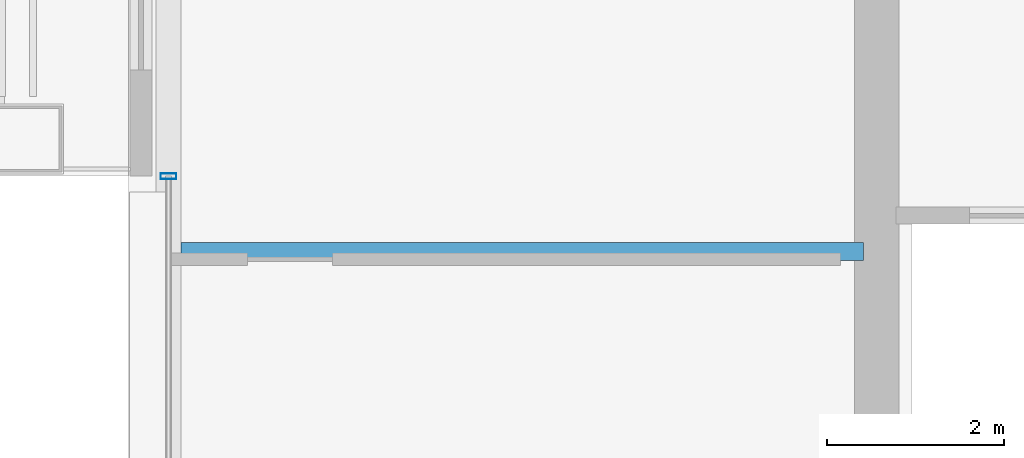
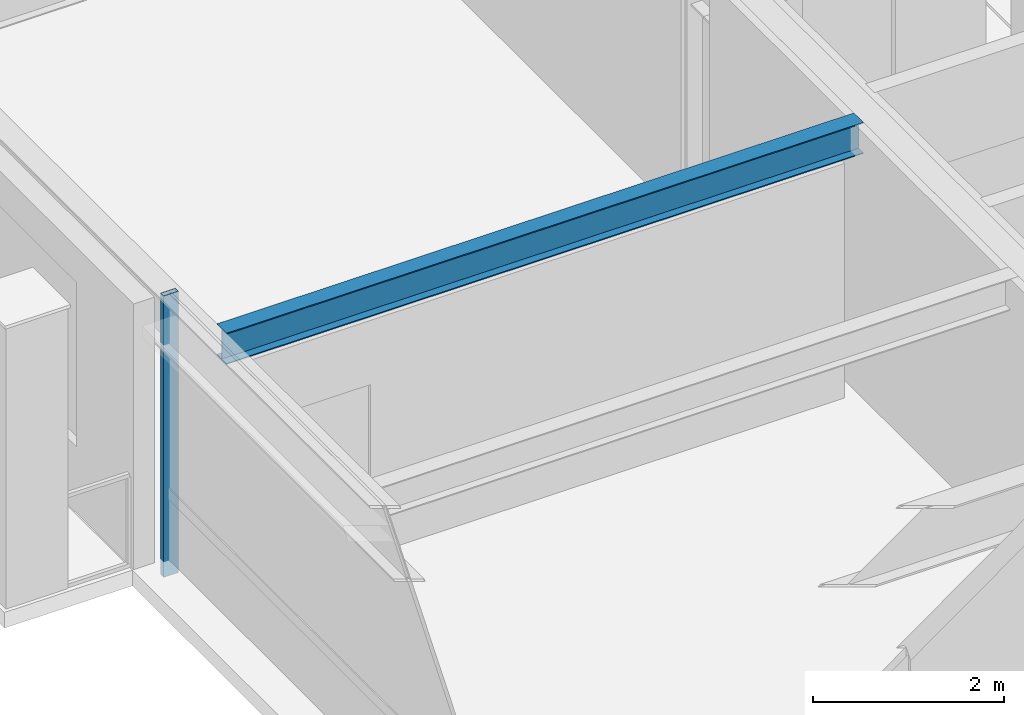
# One storey, part 10 of 34: 1 beam, 1 member, 1 element without a shape of its own.
"""IFC4 building model written with IfcOpenShell, lengths in metres."""

from ifc_helpers import new_model, si_unit, direction, frame, origin, origin_2d, place, context, subcontext, project, spatial, hollow_rectangle, i_section, extrude, material, layer, layer_set, material_profile, profile_set, type_object, element, aggregate, save


model = new_model("IFC4")

# Units and contexts
model_context = context("Model", 3, precision=1e-05, world=origin(), true_north=direction((0.0, 1.0)))
body_context = subcontext(model_context, "Body", "Model", "MODEL_VIEW")
ifc_project = project(units=[si_unit("LENGTHUNIT", "METRE"), si_unit("AREAUNIT", "SQUARE_METRE"), si_unit("VOLUMEUNIT", "CUBIC_METRE"), si_unit("PLANEANGLEUNIT", "RADIAN"), si_unit("MASSUNIT", "GRAM", prefix="KILO")], contexts=[model_context])

# Site, building, storey
site_placement = place(None, origin())
site = spatial("IfcSite", under=ifc_project, at=site_placement, CompositionType="ELEMENT")
building_placement = place(site_placement, origin())
building = spatial("IfcBuilding", under=site, at=building_placement, Name="Brelmoor Portico Tower", CompositionType="ELEMENT")
storey_placement = place(building_placement, frame((0.0, 0.0, 99.0)))
storey = spatial("IfcBuildingStorey", under=building, at=storey_placement, Name="L25", CompositionType="ELEMENT", Elevation=99.0)

# Beam
ifc_material_1 = material(Name="Steel Q355B", Category="steel")
ifc_material_profile_1 = material_profile(ifc_material_1, i_section(OverallWidth=0.199951171875, OverallDepth=0.39990234375, WebThickness=0.008056640625, FlangeThickness=0.012939453125, at=origin_2d()), Name="HN 400x200x8x13")
ifc_profile_set_1 = profile_set([ifc_material_profile_1], Name="Steel Q355B")
beam_type = type_object("IfcBeamType", Name="BM-JS-400", PredefinedType="JOIST", material=ifc_profile_set_1)
beam_placement = place(storey_placement, frame((-22.409912109375, -3.25, 3.199951171875), z_axis=(1.0, 0.0, 0.0), x_axis=(0.0, 1.0, 0.0)))
element("IfcBeam", 1, at=beam_placement, inside=storey, type_object=beam_type, Name="L25 Secondary Wing Joist JS-W06", PredefinedType="JOIST", context=body_context, shape_type="SweptSolid", body=[
    extrude(i_section(OverallWidth=0.199951171875, OverallDepth=0.39990234375, WebThickness=0.008056640625, FlangeThickness=0.012939453125, at=origin_2d()), origin(), (0.0, 0.0, 1.0), 7.7099609375),
])

# Curtain wall, member
ifc_material_2 = material(Name="Anodised Aluminium Alloy 6063-T6", Category="aluminium")
ifc_layer = layer(ifc_material_2, 0.179931640625)
ifc_layer_set = layer_set([ifc_layer], Name="Anodised Aluminium Alloy 6063-T6")
curtain_wall_type = type_object("IfcCurtainWallType", Name="CW-TOWER-Z2", PredefinedType="NOTDEFINED", material=ifc_layer_set)
curtain_wall_placement = place(storey_placement, origin())
curtain_wall = element("IfcCurtainWall", 2, at=curtain_wall_placement, inside=storey, type_object=curtain_wall_type, Name="L25 Curtain Wall CW-L25-3L-2", PredefinedType="NOTDEFINED")
ifc_material_profile_2 = material_profile(ifc_material_2, hollow_rectangle(XDim=0.06494140625, YDim=0.179931640625, WallThickness=0.00390625, at=origin_2d()), Name="ALU MULLION 65x180")
ifc_profile_set_2 = profile_set([ifc_material_profile_2], Name="Anodised Aluminium Alloy 6063-T6")
member_type = type_object("IfcMemberType", Name="MB-CW-MULL-180", PredefinedType="MULLION", material=ifc_profile_set_2)
member_placement = place(storey_placement, frame((-22.550048828125, -2.39990234375, -0.199951171875), z_axis=(0.0, 0.0, 1.0), x_axis=(0.0, 1.0, 0.0)))
member = element("IfcMember", 3, at=member_placement, type_object=member_type, Name="CW-L25-3L-2 Mullion 01", PredefinedType="MULLION", context=body_context, shape_type="SweptSolid", body=[
    extrude(hollow_rectangle(XDim=0.06494140625, YDim=0.179931640625, WallThickness=0.00390625, at=origin_2d()), origin(), (0.0, 0.0, 1.0), 3.599853515625),
])
aggregate(curtain_wall, [member])

save(model, "model.ifc")
